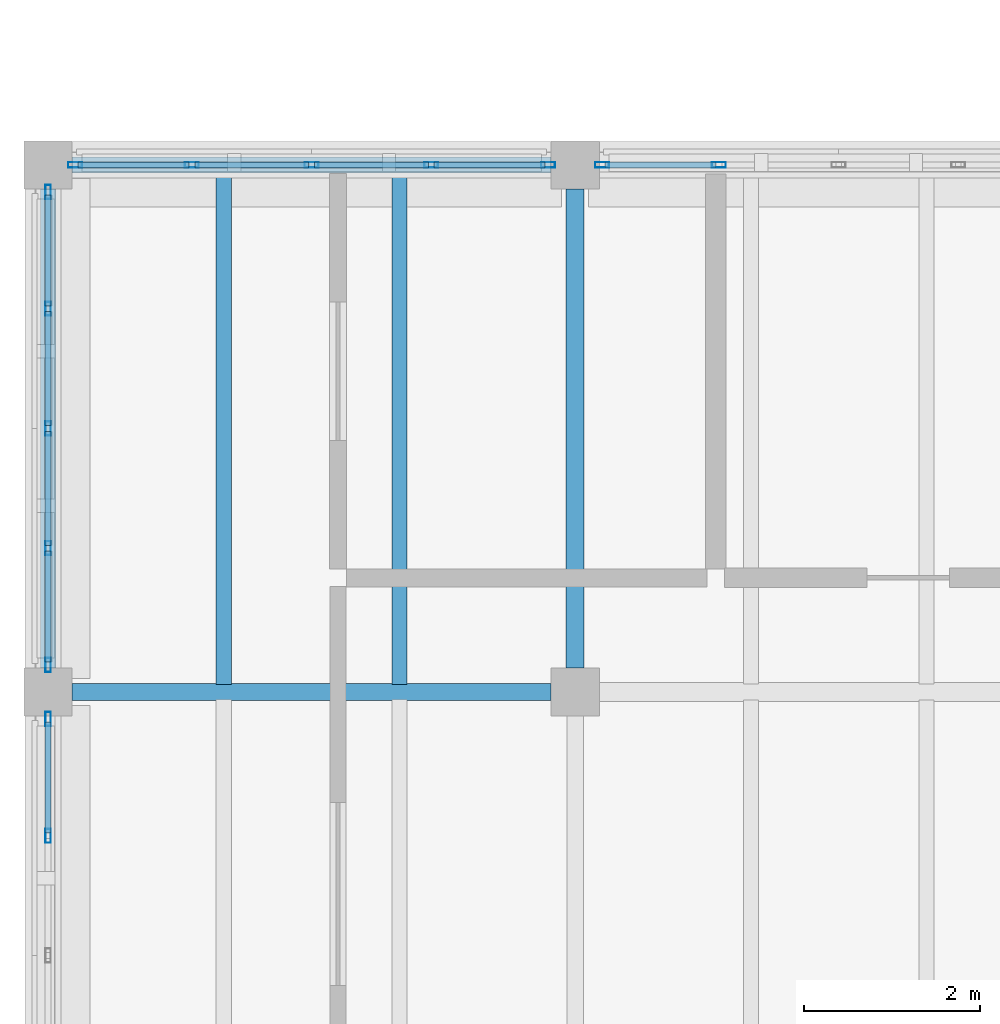
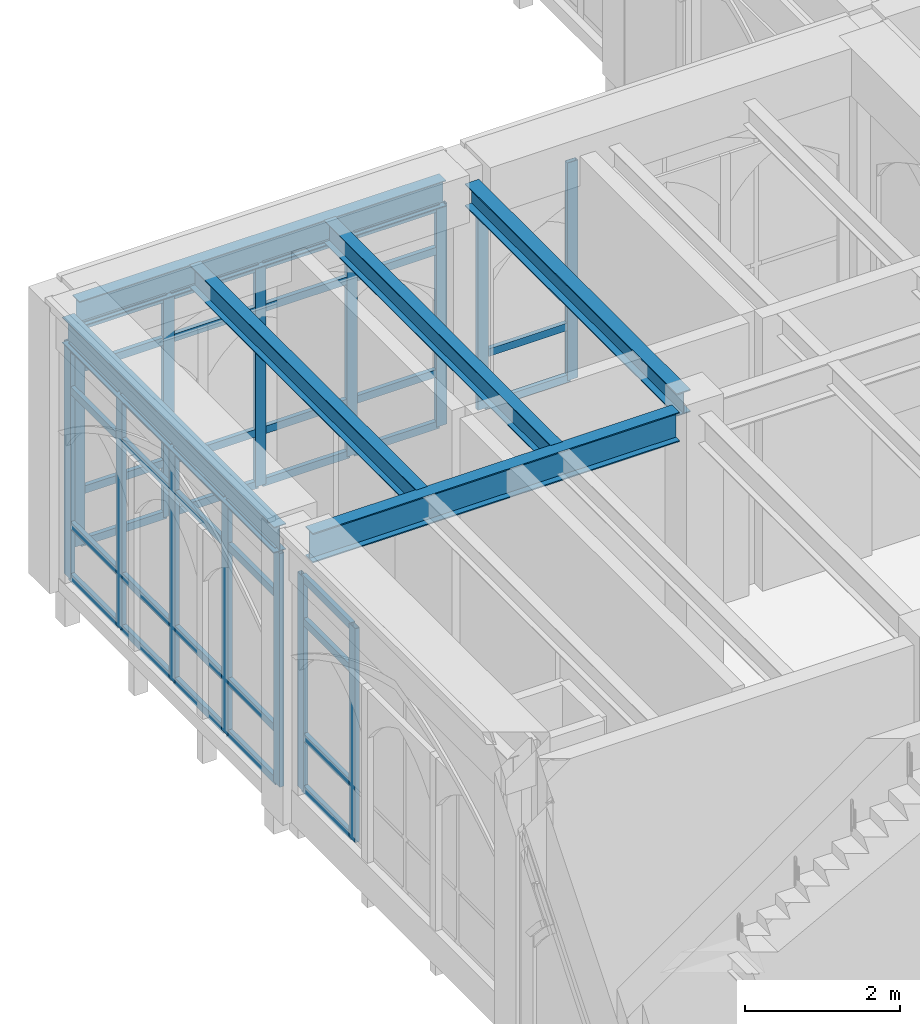
# One storey, part 13 of 108: 52 members, 6 beams, 4 elements without a shape of their own.
"""IFC4 building model written with IfcOpenShell, lengths in metres."""

from ifc_helpers import new_model, si_unit, direction, frame, origin, origin_2d, place, context, subcontext, project, spatial, hollow_rectangle, i_section, extrude, material, layer, layer_set, material_profile, profile_set, type_object, element, aggregate, save


model = new_model("IFC4")

# Units and contexts
model_context = context("Model", 3, precision=1e-05, world=origin(), true_north=direction((0.0, 1.0)))
body_context = subcontext(model_context, "Body", "Model", "MODEL_VIEW")
ifc_project = project(units=[si_unit("LENGTHUNIT", "METRE"), si_unit("AREAUNIT", "SQUARE_METRE"), si_unit("VOLUMEUNIT", "CUBIC_METRE"), si_unit("PLANEANGLEUNIT", "RADIAN"), si_unit("MASSUNIT", "GRAM", prefix="KILO")], contexts=[model_context])

# Site, building, storey
site_placement = place(None, origin())
site = spatial("IfcSite", under=ifc_project, at=site_placement, CompositionType="ELEMENT")
building_placement = place(site_placement, origin())
building = spatial("IfcBuilding", under=site, at=building_placement, Name="Cumevento Cable Car Station", CompositionType="ELEMENT")
storey_placement = place(building_placement, frame((0.0, 0.0, 13.5)))
storey = spatial("IfcBuildingStorey", under=building, at=storey_placement, Name="L04", CompositionType="ELEMENT", Elevation=13.5)

# Curtain wall, members
ifc_material_1 = material(Name="Anodised Bronze Aluminium AW-6063-T6", Category="aluminium")
ifc_layer_1 = layer(ifc_material_1, 0.18994140625)
ifc_layer_set_1 = layer_set([ifc_layer_1], Name="Anodised Bronze Aluminium AW-6063-T6")
curtain_wall_type_1 = type_object("IfcCurtainWallType", Name="Lancet Curtain Wall CW-06 1250", PredefinedType="NOTDEFINED", material=ifc_layer_set_1)
curtain_wall_1_placement = place(storey_placement, origin())
curtain_wall_1 = element("IfcCurtainWall", 1, at=curtain_wall_1_placement, inside=storey, type_object=curtain_wall_type_1, Name="Lancet Curtain Wall CW-06 L04 #149", PredefinedType="NOTDEFINED")
ifc_material_2 = material(Name="Anodised Bronze Aluminium AW-6063-T6", Category="aluminium")
ifc_material_profile_1 = material_profile(ifc_material_2, hollow_rectangle(XDim=0.06494140625, YDim=0.159912109375, WallThickness=0.00390625, at=origin_2d()), Name="ALUM65x160x4")
ifc_profile_set_1 = profile_set([ifc_material_profile_1], Name="Anodised Bronze Aluminium AW-6063-T6")
member_type_1 = type_object("IfcMemberType", Name="Curtain Mullion CWM-01 ALUM65x160x4", PredefinedType="MULLION", material=ifc_profile_set_1)
member_1_placement = place(storey_placement, frame((10.3076171875, 45.0, 0.409912109375), z_axis=(0.0, 0.0, 1.0), x_axis=(0.0, 1.0, 0.0)))
member_1 = element("IfcMember", 2, at=member_1_placement, type_object=member_type_1, Name="CW-06 mullion 1", PredefinedType="MULLION", context=body_context, shape_type="SweptSolid", body=[
    extrude(hollow_rectangle(XDim=0.06494140625, YDim=0.159912109375, WallThickness=0.00390625, at=origin_2d()), origin(), (0.0, 0.0, 1.0), 3.47119140625),
])
member_2_placement = place(storey_placement, frame((11.637451171875, 45.0, 0.409912109375), z_axis=(0.0, 0.0, 1.0), x_axis=(0.0, 1.0, 0.0)))
member_2 = element("IfcMember", 3, at=member_2_placement, type_object=member_type_1, Name="CW-06 mullion 2", PredefinedType="MULLION", context=body_context, shape_type="SweptSolid", body=[
    extrude(hollow_rectangle(XDim=0.06494140625, YDim=0.159912109375, WallThickness=0.00390625, at=origin_2d()), origin(), (0.0, 0.0, 1.0), 3.47119140625),
])
member_3_placement = place(storey_placement, frame((13.0, 45.0, 0.409912109375), z_axis=(0.0, 0.0, 1.0), x_axis=(0.0, 1.0, 0.0)))
member_3 = element("IfcMember", 4, at=member_3_placement, type_object=member_type_1, Name="CW-06 mullion 3", PredefinedType="MULLION", context=body_context, shape_type="SweptSolid", body=[
    extrude(hollow_rectangle(XDim=0.06494140625, YDim=0.159912109375, WallThickness=0.00390625, at=origin_2d()), origin(), (0.0, 0.0, 1.0), 3.47119140625),
])
member_4_placement = place(storey_placement, frame((14.362548828125, 45.0, 0.409912109375), z_axis=(0.0, 0.0, 1.0), x_axis=(0.0, 1.0, 0.0)))
member_4 = element("IfcMember", 5, at=member_4_placement, type_object=member_type_1, Name="CW-06 mullion 4", PredefinedType="MULLION", context=body_context, shape_type="SweptSolid", body=[
    extrude(hollow_rectangle(XDim=0.06494140625, YDim=0.159912109375, WallThickness=0.00390625, at=origin_2d()), origin(), (0.0, 0.0, 1.0), 3.47119140625),
])
member_5_placement = place(storey_placement, frame((15.6923828125, 45.0, 0.409912109375), z_axis=(0.0, 0.0, 1.0), x_axis=(0.0, 1.0, 0.0)))
member_5 = element("IfcMember", 6, at=member_5_placement, type_object=member_type_1, Name="CW-06 mullion 5", PredefinedType="MULLION", context=body_context, shape_type="SweptSolid", body=[
    extrude(hollow_rectangle(XDim=0.06494140625, YDim=0.159912109375, WallThickness=0.00390625, at=origin_2d()), origin(), (0.0, 0.0, 1.0), 3.47119140625),
])

ifc_material_3 = material(Name="Anodised Bronze Aluminium AW-6063-T6", Category="aluminium")
ifc_layer_2 = layer(ifc_material_3, 0.196044921875)
ifc_layer_set_2 = layer_set([ifc_layer_2], Name="Anodised Bronze Aluminium AW-6063-T6")
curtain_wall_type_2 = type_object("IfcCurtainWallType", Name="Lancet Curtain Wall CW-07 1290", PredefinedType="NOTDEFINED", material=ifc_layer_set_2)
curtain_wall_2_placement = place(storey_placement, origin())
curtain_wall_2 = element("IfcCurtainWall", 7, at=curtain_wall_2_placement, inside=storey, type_object=curtain_wall_type_2, Name="Lancet Curtain Wall CW-07 L04 #150", PredefinedType="NOTDEFINED")
member_6_placement = place(storey_placement, frame((16.3076171875, 45.0, 0.4599609375), z_axis=(0.0, 0.0, 1.0), x_axis=(0.0, 1.0, 0.0)))
member_6 = element("IfcMember", 8, at=member_6_placement, type_object=member_type_1, Name="CW-07 mullion 1", PredefinedType="MULLION", context=body_context, shape_type="SweptSolid", body=[
    extrude(hollow_rectangle(XDim=0.06494140625, YDim=0.159912109375, WallThickness=0.00390625, at=origin_2d()), origin(), (0.0, 0.0, 1.0), 3.421142578125),
])
member_7_placement = place(storey_placement, frame((17.637451171875, 45.0, 0.4599609375), z_axis=(0.0, 0.0, 1.0), x_axis=(0.0, 1.0, 0.0)))
member_7 = element("IfcMember", 9, at=member_7_placement, type_object=member_type_1, Name="CW-07 mullion 2", PredefinedType="MULLION", context=body_context, shape_type="SweptSolid", body=[
    extrude(hollow_rectangle(XDim=0.06494140625, YDim=0.159912109375, WallThickness=0.00390625, at=origin_2d()), origin(), (0.0, 0.0, 1.0), 3.421142578125),
])

ifc_material_4 = material(Name="Anodised Bronze Aluminium AW-6063-T6", Category="aluminium")
ifc_layer_3 = layer(ifc_material_4, 0.201904296875)
ifc_layer_set_3 = layer_set([ifc_layer_3], Name="Anodised Bronze Aluminium AW-6063-T6")
curtain_wall_type_3 = type_object("IfcCurtainWallType", Name="Lancet Curtain Wall CW-08 1330", PredefinedType="NOTDEFINED", material=ifc_layer_set_3)
curtain_wall_3_placement = place(storey_placement, origin())
curtain_wall_3 = element("IfcCurtainWall", 10, at=curtain_wall_3_placement, inside=storey, type_object=curtain_wall_type_3, Name="Lancet Curtain Wall CW-08 L04 #151", PredefinedType="NOTDEFINED")
member_8_placement = place(storey_placement, frame((10.0, 37.362548828125, 0.52001953125), z_axis=(0.0, 0.0, 1.0), x_axis=(-1.0, 0.0, 0.0)))
member_8 = element("IfcMember", 11, at=member_8_placement, type_object=member_type_1, Name="CW-08 mullion 4", PredefinedType="MULLION", context=body_context, shape_type="SweptSolid", body=[
    extrude(hollow_rectangle(XDim=0.06494140625, YDim=0.159912109375, WallThickness=0.00390625, at=origin_2d()), origin(), (0.0, 0.0, 1.0), 3.361083984375),
])
member_9_placement = place(storey_placement, frame((10.0, 38.6923828125, 0.52001953125), z_axis=(0.0, 0.0, 1.0), x_axis=(-1.0, 0.0, 0.0)))
member_9 = element("IfcMember", 12, at=member_9_placement, type_object=member_type_1, Name="CW-08 mullion 5", PredefinedType="MULLION", context=body_context, shape_type="SweptSolid", body=[
    extrude(hollow_rectangle(XDim=0.06494140625, YDim=0.159912109375, WallThickness=0.00390625, at=origin_2d()), origin(), (0.0, 0.0, 1.0), 3.361083984375),
])

ifc_material_5 = material(Name="Anodised Bronze Aluminium AW-6063-T6", Category="aluminium")
ifc_layer_4 = layer(ifc_material_5, 0.214111328125)
ifc_layer_set_4 = layer_set([ifc_layer_4], Name="Anodised Bronze Aluminium AW-6063-T6")
curtain_wall_type_4 = type_object("IfcCurtainWallType", Name="Lancet Curtain Wall CW-10 1410", PredefinedType="NOTDEFINED", material=ifc_layer_set_4)
curtain_wall_4_placement = place(storey_placement, origin())
curtain_wall_4 = element("IfcCurtainWall", 13, at=curtain_wall_4_placement, inside=storey, type_object=curtain_wall_type_4, Name="Lancet Curtain Wall CW-10 L04 #153", PredefinedType="NOTDEFINED")
member_10_placement = place(storey_placement, frame((10.0, 39.3076171875, 0.2099609375), z_axis=(0.0, 0.0, 1.0), x_axis=(-1.0, 0.0, 0.0)))
member_10 = element("IfcMember", 14, at=member_10_placement, type_object=member_type_1, Name="CW-10 mullion 1", PredefinedType="MULLION", context=body_context, shape_type="SweptSolid", body=[
    extrude(hollow_rectangle(XDim=0.06494140625, YDim=0.159912109375, WallThickness=0.00390625, at=origin_2d()), origin(), (0.0, 0.0, 1.0), 3.671142578125),
])
member_11_placement = place(storey_placement, frame((10.0, 40.637451171875, 0.2099609375), z_axis=(0.0, 0.0, 1.0), x_axis=(-1.0, 0.0, 0.0)))
member_11 = element("IfcMember", 15, at=member_11_placement, type_object=member_type_1, Name="CW-10 mullion 2", PredefinedType="MULLION", context=body_context, shape_type="SweptSolid", body=[
    extrude(hollow_rectangle(XDim=0.06494140625, YDim=0.159912109375, WallThickness=0.00390625, at=origin_2d()), origin(), (0.0, 0.0, 1.0), 3.671142578125),
])
member_12_placement = place(storey_placement, frame((10.0, 42.0, 0.2099609375), z_axis=(0.0, 0.0, 1.0), x_axis=(-1.0, 0.0, 0.0)))
member_12 = element("IfcMember", 16, at=member_12_placement, type_object=member_type_1, Name="CW-10 mullion 3", PredefinedType="MULLION", context=body_context, shape_type="SweptSolid", body=[
    extrude(hollow_rectangle(XDim=0.06494140625, YDim=0.159912109375, WallThickness=0.00390625, at=origin_2d()), origin(), (0.0, 0.0, 1.0), 3.671142578125),
])
member_13_placement = place(storey_placement, frame((10.0, 43.362548828125, 0.2099609375), z_axis=(0.0, 0.0, 1.0), x_axis=(-1.0, 0.0, 0.0)))
member_13 = element("IfcMember", 17, at=member_13_placement, type_object=member_type_1, Name="CW-10 mullion 4", PredefinedType="MULLION", context=body_context, shape_type="SweptSolid", body=[
    extrude(hollow_rectangle(XDim=0.06494140625, YDim=0.159912109375, WallThickness=0.00390625, at=origin_2d()), origin(), (0.0, 0.0, 1.0), 3.671142578125),
])
member_14_placement = place(storey_placement, frame((10.0, 44.6923828125, 0.2099609375), z_axis=(0.0, 0.0, 1.0), x_axis=(-1.0, 0.0, 0.0)))
member_14 = element("IfcMember", 18, at=member_14_placement, type_object=member_type_1, Name="CW-10 mullion 5", PredefinedType="MULLION", context=body_context, shape_type="SweptSolid", body=[
    extrude(hollow_rectangle(XDim=0.06494140625, YDim=0.159912109375, WallThickness=0.00390625, at=origin_2d()), origin(), (0.0, 0.0, 1.0), 3.671142578125),
])

# Member
ifc_material_6 = material(Name="Anodised Bronze Aluminium AW-6063-T6", Category="aluminium")
ifc_material_profile_2 = material_profile(ifc_material_6, hollow_rectangle(XDim=0.06494140625, YDim=0.1201171875, WallThickness=0.00390625, at=origin_2d()), Name="ALUT65x120x4")
ifc_profile_set_2 = profile_set([ifc_material_profile_2], Name="Anodised Bronze Aluminium AW-6063-T6")
member_type_2 = type_object("IfcMemberType", Name="Curtain Transom CWT-01 ALUT65x120x4", PredefinedType="USERDEFINED", material=ifc_profile_set_2)
member_15_placement = place(storey_placement, frame((10.340087890625, 45.0, 0.4423828125), z_axis=(1.0, 0.0, 0.0), x_axis=(0.0, 1.0, 0.0)))
member_15 = element("IfcMember", 19, at=member_15_placement, type_object=member_type_2, Name="CW-06 transom 1.1", ObjectType="TRANSOM", PredefinedType="USERDEFINED", context=body_context, shape_type="SweptSolid", body=[
    extrude(hollow_rectangle(XDim=0.06494140625, YDim=0.1201171875, WallThickness=0.00390625, at=origin_2d()), origin(), (0.0, 0.0, 1.0), 1.264892578125),
])

member_16_placement = place(storey_placement, frame((10.340087890625, 45.0, 1.260009765625), z_axis=(1.0, 0.0, 0.0), x_axis=(0.0, 1.0, 0.0)))
member_16 = element("IfcMember", 20, at=member_16_placement, type_object=member_type_2, Name="CW-06 transom 1.2", ObjectType="TRANSOM", PredefinedType="USERDEFINED", context=body_context, shape_type="SweptSolid", body=[
    extrude(hollow_rectangle(XDim=0.06494140625, YDim=0.1201171875, WallThickness=0.00390625, at=origin_2d()), origin(), (0.0, 0.0, 1.0), 1.264892578125),
])

member_17_placement = place(storey_placement, frame((10.340087890625, 45.0, 3.180908203125), z_axis=(1.0, 0.0, 0.0), x_axis=(0.0, 1.0, 0.0)))
member_17 = element("IfcMember", 21, at=member_17_placement, type_object=member_type_2, Name="CW-06 transom 1.3", ObjectType="TRANSOM", PredefinedType="USERDEFINED", context=body_context, shape_type="SweptSolid", body=[
    extrude(hollow_rectangle(XDim=0.06494140625, YDim=0.1201171875, WallThickness=0.00390625, at=origin_2d()), origin(), (0.0, 0.0, 1.0), 1.264892578125),
])

member_18_placement = place(storey_placement, frame((10.340087890625, 45.0, 3.848388671875), z_axis=(1.0, 0.0, 0.0), x_axis=(0.0, 1.0, 0.0)))
member_18 = element("IfcMember", 22, at=member_18_placement, type_object=member_type_2, Name="CW-06 transom 1.4", ObjectType="TRANSOM", PredefinedType="USERDEFINED", context=body_context, shape_type="SweptSolid", body=[
    extrude(hollow_rectangle(XDim=0.06494140625, YDim=0.1201171875, WallThickness=0.00390625, at=origin_2d()), origin(), (0.0, 0.0, 1.0), 1.264892578125),
])

member_19_placement = place(storey_placement, frame((11.669921875, 45.0, 0.4423828125), z_axis=(1.0, 0.0, 0.0), x_axis=(0.0, 1.0, 0.0)))
member_19 = element("IfcMember", 23, at=member_19_placement, type_object=member_type_2, Name="CW-06 transom 2.1", ObjectType="TRANSOM", PredefinedType="USERDEFINED", context=body_context, shape_type="SweptSolid", body=[
    extrude(hollow_rectangle(XDim=0.06494140625, YDim=0.1201171875, WallThickness=0.00390625, at=origin_2d()), origin(), (0.0, 0.0, 1.0), 1.297607421875),
])

member_20_placement = place(storey_placement, frame((11.669921875, 45.0, 1.260009765625), z_axis=(1.0, 0.0, 0.0), x_axis=(0.0, 1.0, 0.0)))
member_20 = element("IfcMember", 24, at=member_20_placement, type_object=member_type_2, Name="CW-06 transom 2.2", ObjectType="TRANSOM", PredefinedType="USERDEFINED", context=body_context, shape_type="SweptSolid", body=[
    extrude(hollow_rectangle(XDim=0.06494140625, YDim=0.1201171875, WallThickness=0.00390625, at=origin_2d()), origin(), (0.0, 0.0, 1.0), 1.297607421875),
])

member_21_placement = place(storey_placement, frame((11.669921875, 45.0, 3.180908203125), z_axis=(1.0, 0.0, 0.0), x_axis=(0.0, 1.0, 0.0)))
member_21 = element("IfcMember", 25, at=member_21_placement, type_object=member_type_2, Name="CW-06 transom 2.3", ObjectType="TRANSOM", PredefinedType="USERDEFINED", context=body_context, shape_type="SweptSolid", body=[
    extrude(hollow_rectangle(XDim=0.06494140625, YDim=0.1201171875, WallThickness=0.00390625, at=origin_2d()), origin(), (0.0, 0.0, 1.0), 1.297607421875),
])

member_22_placement = place(storey_placement, frame((11.669921875, 45.0, 3.848388671875), z_axis=(1.0, 0.0, 0.0), x_axis=(0.0, 1.0, 0.0)))
member_22 = element("IfcMember", 26, at=member_22_placement, type_object=member_type_2, Name="CW-06 transom 2.4", ObjectType="TRANSOM", PredefinedType="USERDEFINED", context=body_context, shape_type="SweptSolid", body=[
    extrude(hollow_rectangle(XDim=0.06494140625, YDim=0.1201171875, WallThickness=0.00390625, at=origin_2d()), origin(), (0.0, 0.0, 1.0), 1.297607421875),
])

member_23_placement = place(storey_placement, frame((13.032470703125, 45.0, 0.4423828125), z_axis=(1.0, 0.0, 0.0), x_axis=(0.0, 1.0, 0.0)))
member_23 = element("IfcMember", 27, at=member_23_placement, type_object=member_type_2, Name="CW-06 transom 3.1", ObjectType="TRANSOM", PredefinedType="USERDEFINED", context=body_context, shape_type="SweptSolid", body=[
    extrude(hollow_rectangle(XDim=0.06494140625, YDim=0.1201171875, WallThickness=0.00390625, at=origin_2d()), origin(), (0.0, 0.0, 1.0), 1.297607421875),
])

member_24_placement = place(storey_placement, frame((13.032470703125, 45.0, 1.260009765625), z_axis=(1.0, 0.0, 0.0), x_axis=(0.0, 1.0, 0.0)))
member_24 = element("IfcMember", 28, at=member_24_placement, type_object=member_type_2, Name="CW-06 transom 3.2", ObjectType="TRANSOM", PredefinedType="USERDEFINED", context=body_context, shape_type="SweptSolid", body=[
    extrude(hollow_rectangle(XDim=0.06494140625, YDim=0.1201171875, WallThickness=0.00390625, at=origin_2d()), origin(), (0.0, 0.0, 1.0), 1.297607421875),
])

member_25_placement = place(storey_placement, frame((13.032470703125, 45.0, 3.180908203125), z_axis=(1.0, 0.0, 0.0), x_axis=(0.0, 1.0, 0.0)))
member_25 = element("IfcMember", 29, at=member_25_placement, type_object=member_type_2, Name="CW-06 transom 3.3", ObjectType="TRANSOM", PredefinedType="USERDEFINED", context=body_context, shape_type="SweptSolid", body=[
    extrude(hollow_rectangle(XDim=0.06494140625, YDim=0.1201171875, WallThickness=0.00390625, at=origin_2d()), origin(), (0.0, 0.0, 1.0), 1.297607421875),
])

member_26_placement = place(storey_placement, frame((13.032470703125, 45.0, 3.848388671875), z_axis=(1.0, 0.0, 0.0), x_axis=(0.0, 1.0, 0.0)))
member_26 = element("IfcMember", 30, at=member_26_placement, type_object=member_type_2, Name="CW-06 transom 3.4", ObjectType="TRANSOM", PredefinedType="USERDEFINED", context=body_context, shape_type="SweptSolid", body=[
    extrude(hollow_rectangle(XDim=0.06494140625, YDim=0.1201171875, WallThickness=0.00390625, at=origin_2d()), origin(), (0.0, 0.0, 1.0), 1.297607421875),
])

member_27_placement = place(storey_placement, frame((14.39501953125, 45.0, 0.4423828125), z_axis=(1.0, 0.0, 0.0), x_axis=(0.0, 1.0, 0.0)))
member_27 = element("IfcMember", 31, at=member_27_placement, type_object=member_type_2, Name="CW-06 transom 4.1", ObjectType="TRANSOM", PredefinedType="USERDEFINED", context=body_context, shape_type="SweptSolid", body=[
    extrude(hollow_rectangle(XDim=0.06494140625, YDim=0.1201171875, WallThickness=0.00390625, at=origin_2d()), origin(), (0.0, 0.0, 1.0), 1.264892578125),
])

member_28_placement = place(storey_placement, frame((14.39501953125, 45.0, 1.260009765625), z_axis=(1.0, 0.0, 0.0), x_axis=(0.0, 1.0, 0.0)))
member_28 = element("IfcMember", 32, at=member_28_placement, type_object=member_type_2, Name="CW-06 transom 4.2", ObjectType="TRANSOM", PredefinedType="USERDEFINED", context=body_context, shape_type="SweptSolid", body=[
    extrude(hollow_rectangle(XDim=0.06494140625, YDim=0.1201171875, WallThickness=0.00390625, at=origin_2d()), origin(), (0.0, 0.0, 1.0), 1.264892578125),
])

member_29_placement = place(storey_placement, frame((14.39501953125, 45.0, 3.180908203125), z_axis=(1.0, 0.0, 0.0), x_axis=(0.0, 1.0, 0.0)))
member_29 = element("IfcMember", 33, at=member_29_placement, type_object=member_type_2, Name="CW-06 transom 4.3", ObjectType="TRANSOM", PredefinedType="USERDEFINED", context=body_context, shape_type="SweptSolid", body=[
    extrude(hollow_rectangle(XDim=0.06494140625, YDim=0.1201171875, WallThickness=0.00390625, at=origin_2d()), origin(), (0.0, 0.0, 1.0), 1.264892578125),
])

member_30_placement = place(storey_placement, frame((14.39501953125, 45.0, 3.848388671875), z_axis=(1.0, 0.0, 0.0), x_axis=(0.0, 1.0, 0.0)))
member_30 = element("IfcMember", 34, at=member_30_placement, type_object=member_type_2, Name="CW-06 transom 4.4", ObjectType="TRANSOM", PredefinedType="USERDEFINED", context=body_context, shape_type="SweptSolid", body=[
    extrude(hollow_rectangle(XDim=0.06494140625, YDim=0.1201171875, WallThickness=0.00390625, at=origin_2d()), origin(), (0.0, 0.0, 1.0), 1.264892578125),
])

aggregate(curtain_wall_1, [member_1, member_2, member_3, member_4, member_5, member_15, member_16, member_17, member_18, member_19, member_20, member_21, member_22, member_23, member_24, member_25, member_26, member_27, member_28, member_29, member_30])

member_31_placement = place(storey_placement, frame((16.340087890625, 45.0, 0.492431640625), z_axis=(1.0, 0.0, 0.0), x_axis=(0.0, 1.0, 0.0)))
member_31 = element("IfcMember", 35, at=member_31_placement, type_object=member_type_2, Name="CW-07 transom 1.1", ObjectType="TRANSOM", PredefinedType="USERDEFINED", context=body_context, shape_type="SweptSolid", body=[
    extrude(hollow_rectangle(XDim=0.06494140625, YDim=0.1201171875, WallThickness=0.00390625, at=origin_2d()), origin(), (0.0, 0.0, 1.0), 1.264892578125),
])

member_32_placement = place(storey_placement, frame((16.340087890625, 45.0, 1.31005859375), z_axis=(1.0, 0.0, 0.0), x_axis=(0.0, 1.0, 0.0)))
member_32 = element("IfcMember", 36, at=member_32_placement, type_object=member_type_2, Name="CW-07 transom 1.2", ObjectType="TRANSOM", PredefinedType="USERDEFINED", context=body_context, shape_type="SweptSolid", body=[
    extrude(hollow_rectangle(XDim=0.06494140625, YDim=0.1201171875, WallThickness=0.00390625, at=origin_2d()), origin(), (0.0, 0.0, 1.0), 1.264892578125),
])

aggregate(curtain_wall_2, [member_6, member_7, member_31, member_32])

member_33_placement = place(storey_placement, frame((10.0, 37.39501953125, 0.552490234375), z_axis=(0.0, 1.0, 0.0), x_axis=(-1.0, 0.0, 0.0)))
member_33 = element("IfcMember", 37, at=member_33_placement, type_object=member_type_2, Name="CW-08 transom 4.1", ObjectType="TRANSOM", PredefinedType="USERDEFINED", context=body_context, shape_type="SweptSolid", body=[
    extrude(hollow_rectangle(XDim=0.06494140625, YDim=0.1201171875, WallThickness=0.00390625, at=origin_2d()), origin(), (0.0, 0.0, 1.0), 1.264892578125),
])

member_34_placement = place(storey_placement, frame((10.0, 37.39501953125, 1.3701171875), z_axis=(0.0, 1.0, 0.0), x_axis=(-1.0, 0.0, 0.0)))
member_34 = element("IfcMember", 38, at=member_34_placement, type_object=member_type_2, Name="CW-08 transom 4.2", ObjectType="TRANSOM", PredefinedType="USERDEFINED", context=body_context, shape_type="SweptSolid", body=[
    extrude(hollow_rectangle(XDim=0.06494140625, YDim=0.1201171875, WallThickness=0.00390625, at=origin_2d()), origin(), (0.0, 0.0, 1.0), 1.264892578125),
])

member_35_placement = place(storey_placement, frame((10.0, 37.39501953125, 3.180908203125), z_axis=(0.0, 1.0, 0.0), x_axis=(-1.0, 0.0, 0.0)))
member_35 = element("IfcMember", 39, at=member_35_placement, type_object=member_type_2, Name="CW-08 transom 4.3", ObjectType="TRANSOM", PredefinedType="USERDEFINED", context=body_context, shape_type="SweptSolid", body=[
    extrude(hollow_rectangle(XDim=0.06494140625, YDim=0.1201171875, WallThickness=0.00390625, at=origin_2d()), origin(), (0.0, 0.0, 1.0), 1.264892578125),
])

member_36_placement = place(storey_placement, frame((10.0, 37.39501953125, 3.848388671875), z_axis=(0.0, 1.0, 0.0), x_axis=(-1.0, 0.0, 0.0)))
member_36 = element("IfcMember", 40, at=member_36_placement, type_object=member_type_2, Name="CW-08 transom 4.4", ObjectType="TRANSOM", PredefinedType="USERDEFINED", context=body_context, shape_type="SweptSolid", body=[
    extrude(hollow_rectangle(XDim=0.06494140625, YDim=0.1201171875, WallThickness=0.00390625, at=origin_2d()), origin(), (0.0, 0.0, 1.0), 1.264892578125),
])

aggregate(curtain_wall_3, [member_8, member_9, member_33, member_34, member_35, member_36])

member_37_placement = place(storey_placement, frame((10.0, 39.340087890625, 0.242431640625), z_axis=(0.0, 1.0, 0.0), x_axis=(-1.0, 0.0, 0.0)))
member_37 = element("IfcMember", 41, at=member_37_placement, type_object=member_type_2, Name="CW-10 transom 1.1", ObjectType="TRANSOM", PredefinedType="USERDEFINED", context=body_context, shape_type="SweptSolid", body=[
    extrude(hollow_rectangle(XDim=0.06494140625, YDim=0.1201171875, WallThickness=0.00390625, at=origin_2d()), origin(), (0.0, 0.0, 1.0), 1.264892578125),
])

member_38_placement = place(storey_placement, frame((10.0, 39.340087890625, 1.06005859375), z_axis=(0.0, 1.0, 0.0), x_axis=(-1.0, 0.0, 0.0)))
member_38 = element("IfcMember", 42, at=member_38_placement, type_object=member_type_2, Name="CW-10 transom 1.2", ObjectType="TRANSOM", PredefinedType="USERDEFINED", context=body_context, shape_type="SweptSolid", body=[
    extrude(hollow_rectangle(XDim=0.06494140625, YDim=0.1201171875, WallThickness=0.00390625, at=origin_2d()), origin(), (0.0, 0.0, 1.0), 1.264892578125),
])

member_39_placement = place(storey_placement, frame((10.0, 39.340087890625, 3.180908203125), z_axis=(0.0, 1.0, 0.0), x_axis=(-1.0, 0.0, 0.0)))
member_39 = element("IfcMember", 43, at=member_39_placement, type_object=member_type_2, Name="CW-10 transom 1.3", ObjectType="TRANSOM", PredefinedType="USERDEFINED", context=body_context, shape_type="SweptSolid", body=[
    extrude(hollow_rectangle(XDim=0.06494140625, YDim=0.1201171875, WallThickness=0.00390625, at=origin_2d()), origin(), (0.0, 0.0, 1.0), 1.264892578125),
])

member_40_placement = place(storey_placement, frame((10.0, 39.340087890625, 3.848388671875), z_axis=(0.0, 1.0, 0.0), x_axis=(-1.0, 0.0, 0.0)))
member_40 = element("IfcMember", 44, at=member_40_placement, type_object=member_type_2, Name="CW-10 transom 1.4", ObjectType="TRANSOM", PredefinedType="USERDEFINED", context=body_context, shape_type="SweptSolid", body=[
    extrude(hollow_rectangle(XDim=0.06494140625, YDim=0.1201171875, WallThickness=0.00390625, at=origin_2d()), origin(), (0.0, 0.0, 1.0), 1.264892578125),
])

member_41_placement = place(storey_placement, frame((10.0, 40.669921875, 0.242431640625), z_axis=(0.0, 1.0, 0.0), x_axis=(-1.0, 0.0, 0.0)))
member_41 = element("IfcMember", 45, at=member_41_placement, type_object=member_type_2, Name="CW-10 transom 2.1", ObjectType="TRANSOM", PredefinedType="USERDEFINED", context=body_context, shape_type="SweptSolid", body=[
    extrude(hollow_rectangle(XDim=0.06494140625, YDim=0.1201171875, WallThickness=0.00390625, at=origin_2d()), origin(), (0.0, 0.0, 1.0), 1.297607421875),
])

member_42_placement = place(storey_placement, frame((10.0, 40.669921875, 1.06005859375), z_axis=(0.0, 1.0, 0.0), x_axis=(-1.0, 0.0, 0.0)))
member_42 = element("IfcMember", 46, at=member_42_placement, type_object=member_type_2, Name="CW-10 transom 2.2", ObjectType="TRANSOM", PredefinedType="USERDEFINED", context=body_context, shape_type="SweptSolid", body=[
    extrude(hollow_rectangle(XDim=0.06494140625, YDim=0.1201171875, WallThickness=0.00390625, at=origin_2d()), origin(), (0.0, 0.0, 1.0), 1.297607421875),
])

member_43_placement = place(storey_placement, frame((10.0, 40.669921875, 3.180908203125), z_axis=(0.0, 1.0, 0.0), x_axis=(-1.0, 0.0, 0.0)))
member_43 = element("IfcMember", 47, at=member_43_placement, type_object=member_type_2, Name="CW-10 transom 2.3", ObjectType="TRANSOM", PredefinedType="USERDEFINED", context=body_context, shape_type="SweptSolid", body=[
    extrude(hollow_rectangle(XDim=0.06494140625, YDim=0.1201171875, WallThickness=0.00390625, at=origin_2d()), origin(), (0.0, 0.0, 1.0), 1.297607421875),
])

member_44_placement = place(storey_placement, frame((10.0, 40.669921875, 3.848388671875), z_axis=(0.0, 1.0, 0.0), x_axis=(-1.0, 0.0, 0.0)))
member_44 = element("IfcMember", 48, at=member_44_placement, type_object=member_type_2, Name="CW-10 transom 2.4", ObjectType="TRANSOM", PredefinedType="USERDEFINED", context=body_context, shape_type="SweptSolid", body=[
    extrude(hollow_rectangle(XDim=0.06494140625, YDim=0.1201171875, WallThickness=0.00390625, at=origin_2d()), origin(), (0.0, 0.0, 1.0), 1.297607421875),
])

member_45_placement = place(storey_placement, frame((10.0, 42.032470703125, 0.242431640625), z_axis=(0.0, 1.0, 0.0), x_axis=(-1.0, 0.0, 0.0)))
member_45 = element("IfcMember", 49, at=member_45_placement, type_object=member_type_2, Name="CW-10 transom 3.1", ObjectType="TRANSOM", PredefinedType="USERDEFINED", context=body_context, shape_type="SweptSolid", body=[
    extrude(hollow_rectangle(XDim=0.06494140625, YDim=0.1201171875, WallThickness=0.00390625, at=origin_2d()), origin(), (0.0, 0.0, 1.0), 1.297607421875),
])

member_46_placement = place(storey_placement, frame((10.0, 42.032470703125, 1.06005859375), z_axis=(0.0, 1.0, 0.0), x_axis=(-1.0, 0.0, 0.0)))
member_46 = element("IfcMember", 50, at=member_46_placement, type_object=member_type_2, Name="CW-10 transom 3.2", ObjectType="TRANSOM", PredefinedType="USERDEFINED", context=body_context, shape_type="SweptSolid", body=[
    extrude(hollow_rectangle(XDim=0.06494140625, YDim=0.1201171875, WallThickness=0.00390625, at=origin_2d()), origin(), (0.0, 0.0, 1.0), 1.297607421875),
])

member_47_placement = place(storey_placement, frame((10.0, 42.032470703125, 3.180908203125), z_axis=(0.0, 1.0, 0.0), x_axis=(-1.0, 0.0, 0.0)))
member_47 = element("IfcMember", 51, at=member_47_placement, type_object=member_type_2, Name="CW-10 transom 3.3", ObjectType="TRANSOM", PredefinedType="USERDEFINED", context=body_context, shape_type="SweptSolid", body=[
    extrude(hollow_rectangle(XDim=0.06494140625, YDim=0.1201171875, WallThickness=0.00390625, at=origin_2d()), origin(), (0.0, 0.0, 1.0), 1.297607421875),
])

member_48_placement = place(storey_placement, frame((10.0, 42.032470703125, 3.848388671875), z_axis=(0.0, 1.0, 0.0), x_axis=(-1.0, 0.0, 0.0)))
member_48 = element("IfcMember", 52, at=member_48_placement, type_object=member_type_2, Name="CW-10 transom 3.4", ObjectType="TRANSOM", PredefinedType="USERDEFINED", context=body_context, shape_type="SweptSolid", body=[
    extrude(hollow_rectangle(XDim=0.06494140625, YDim=0.1201171875, WallThickness=0.00390625, at=origin_2d()), origin(), (0.0, 0.0, 1.0), 1.297607421875),
])

member_49_placement = place(storey_placement, frame((10.0, 43.39501953125, 0.242431640625), z_axis=(0.0, 1.0, 0.0), x_axis=(-1.0, 0.0, 0.0)))
member_49 = element("IfcMember", 53, at=member_49_placement, type_object=member_type_2, Name="CW-10 transom 4.1", ObjectType="TRANSOM", PredefinedType="USERDEFINED", context=body_context, shape_type="SweptSolid", body=[
    extrude(hollow_rectangle(XDim=0.06494140625, YDim=0.1201171875, WallThickness=0.00390625, at=origin_2d()), origin(), (0.0, 0.0, 1.0), 1.264892578125),
])

member_50_placement = place(storey_placement, frame((10.0, 43.39501953125, 1.06005859375), z_axis=(0.0, 1.0, 0.0), x_axis=(-1.0, 0.0, 0.0)))
member_50 = element("IfcMember", 54, at=member_50_placement, type_object=member_type_2, Name="CW-10 transom 4.2", ObjectType="TRANSOM", PredefinedType="USERDEFINED", context=body_context, shape_type="SweptSolid", body=[
    extrude(hollow_rectangle(XDim=0.06494140625, YDim=0.1201171875, WallThickness=0.00390625, at=origin_2d()), origin(), (0.0, 0.0, 1.0), 1.264892578125),
])

member_51_placement = place(storey_placement, frame((10.0, 43.39501953125, 3.180908203125), z_axis=(0.0, 1.0, 0.0), x_axis=(-1.0, 0.0, 0.0)))
member_51 = element("IfcMember", 55, at=member_51_placement, type_object=member_type_2, Name="CW-10 transom 4.3", ObjectType="TRANSOM", PredefinedType="USERDEFINED", context=body_context, shape_type="SweptSolid", body=[
    extrude(hollow_rectangle(XDim=0.06494140625, YDim=0.1201171875, WallThickness=0.00390625, at=origin_2d()), origin(), (0.0, 0.0, 1.0), 1.264892578125),
])

member_52_placement = place(storey_placement, frame((10.0, 43.39501953125, 3.848388671875), z_axis=(0.0, 1.0, 0.0), x_axis=(-1.0, 0.0, 0.0)))
member_52 = element("IfcMember", 56, at=member_52_placement, type_object=member_type_2, Name="CW-10 transom 4.4", ObjectType="TRANSOM", PredefinedType="USERDEFINED", context=body_context, shape_type="SweptSolid", body=[
    extrude(hollow_rectangle(XDim=0.06494140625, YDim=0.1201171875, WallThickness=0.00390625, at=origin_2d()), origin(), (0.0, 0.0, 1.0), 1.264892578125),
])

aggregate(curtain_wall_4, [member_10, member_11, member_12, member_13, member_14, member_37, member_38, member_39, member_40, member_41, member_42, member_43, member_44, member_45, member_46, member_47, member_48, member_49, member_50, member_51, member_52])

# Beams
ifc_material_7 = material(Name="Steel ASTM A572 Grade 50", Category="steel")
ifc_material_profile_3 = material_profile(ifc_material_7, i_section(OverallWidth=0.205078125, OverallDepth=0.35400390625, WebThickness=0.009521484375, FlangeThickness=0.016845703125, at=origin_2d()), Name="W360x79.0")
ifc_profile_set_3 = profile_set([ifc_material_profile_3], Name="Steel ASTM A572 Grade 50")
beam_type_1 = type_object("IfcBeamType", Name="Structural Beam BM-05 W360x79.0", PredefinedType="BEAM", material=ifc_profile_set_3)
beam_1_placement = place(storey_placement, frame((16.0, 39.27490234375, 4.111083984375), z_axis=(0.0, 1.0, 0.0), x_axis=(-1.0, 0.0, 0.0)))
element("IfcBeam", 57, at=beam_1_placement, inside=storey, type_object=beam_type_1, Name="Beam BM-05 L04 #1374", PredefinedType="BEAM", context=body_context, shape_type="SweptSolid", body=[
    extrude(i_section(OverallWidth=0.205078125, OverallDepth=0.35400390625, WebThickness=0.009521484375, FlangeThickness=0.016845703125, at=origin_2d()), origin(), (0.0, 0.0, 1.0), 5.4501953125),
])
ifc_material_8 = material(Name="Steel ASTM A572 Grade 50", Category="steel")
ifc_material_profile_4 = material_profile(ifc_material_8, i_section(OverallWidth=0.19189453125, OverallDepth=0.462890625, WebThickness=0.010498046875, FlangeThickness=0.017578125, at=origin_2d()), Name="W460x89.0")
ifc_profile_set_4 = profile_set([ifc_material_profile_4], Name="Steel ASTM A572 Grade 50")
beam_type_2 = type_object("IfcBeamType", Name="Structural Beam BM-10 W460x89.0", PredefinedType="BEAM", material=ifc_profile_set_4)
beam_2_placement = place(storey_placement, frame((10.27490234375, 39.0, 4.056396484375), z_axis=(1.0, 0.0, 0.0), x_axis=(0.0, 1.0, 0.0)))
element("IfcBeam", 58, at=beam_2_placement, inside=storey, type_object=beam_type_2, Name="Beam BM-10 L04 #1367", PredefinedType="BEAM", context=body_context, shape_type="SweptSolid", body=[
    extrude(i_section(OverallWidth=0.19189453125, OverallDepth=0.462890625, WebThickness=0.010498046875, FlangeThickness=0.017578125, at=origin_2d()), origin(), (0.0, 0.0, 1.0), 5.4501953125),
])
ifc_material_9 = material(Name="Steel ASTM A572 Grade 50", Category="steel")
ifc_material_profile_5 = material_profile(ifc_material_9, i_section(OverallWidth=0.1708984375, OverallDepth=0.35498046875, WebThickness=0.007080078125, FlangeThickness=0.01171875, at=origin_2d()), Name="W360x51.0")
ifc_profile_set_5 = profile_set([ifc_material_profile_5], Name="Steel ASTM A572 Grade 50")
beam_type_3 = type_object("IfcBeamType", Name="Structural Joist JS-01 W360x51.0", PredefinedType="JOIST", material=ifc_profile_set_5)
for number, where, z_axis, x_axis, name in (
    (59, (12.0, 39.083984375, 4.110595703125), (0.0, 1.0, 0.0), (-1.0, 0.0, 0.0), "Composite Floor Joist JS-01 L04 #1506"),
    (60, (14.0, 39.083984375, 4.110595703125), (0.0, 1.0, 0.0), (-1.0, 0.0, 0.0), "Composite Floor Joist JS-01 L04 #1508"),
):
    element("IfcBeam", number, at=place(storey_placement, frame(where, z_axis=z_axis, x_axis=x_axis)), inside=storey, type_object=beam_type_3, Name=name, PredefinedType="JOIST", context=body_context, shape_type="SweptSolid", body=[
        extrude(i_section(OverallWidth=0.1708984375, OverallDepth=0.35498046875, WebThickness=0.007080078125, FlangeThickness=0.01171875, at=origin_2d()), origin(), (0.0, 0.0, 1.0), 5.839111328125),
    ])
ifc_material_10 = material(Name="Steel ASTM A572 Grade 50", Category="steel")
ifc_material_profile_6 = material_profile(ifc_material_10, i_section(OverallWidth=0.177978515625, OverallDepth=0.406982421875, WebThickness=0.0078125, FlangeThickness=0.0126953125, at=origin_2d()), Name="W410x60.0")
ifc_profile_set_6 = profile_set([ifc_material_profile_6], Name="Steel ASTM A572 Grade 50")
beam_type_4 = type_object("IfcBeamType", Name="Structural Spandrel SP-01 W410x60.0", PredefinedType="SPANDREL", material=ifc_profile_set_6)
for number, where, z_axis, x_axis, name in (
    (61, (10.27490234375, 45.0, 4.08447265625), (1.0, 0.0, 0.0), (0.0, 1.0, 0.0), "Beam SP-01 L04 #1369"),
    (62, (10.0, 39.27490234375, 4.08447265625), (0.0, 1.0, 0.0), (-1.0, 0.0, 0.0), "Beam SP-01 L04 #1372"),
):
    element("IfcBeam", number, at=place(storey_placement, frame(where, z_axis=z_axis, x_axis=x_axis)), inside=storey, type_object=beam_type_4, Name=name, PredefinedType="SPANDREL", context=body_context, shape_type="SweptSolid", body=[
        extrude(i_section(OverallWidth=0.177978515625, OverallDepth=0.406982421875, WebThickness=0.0078125, FlangeThickness=0.0126953125, at=origin_2d()), origin(), (0.0, 0.0, 1.0), 5.4501953125),
    ])

save(model, "model.ifc")
